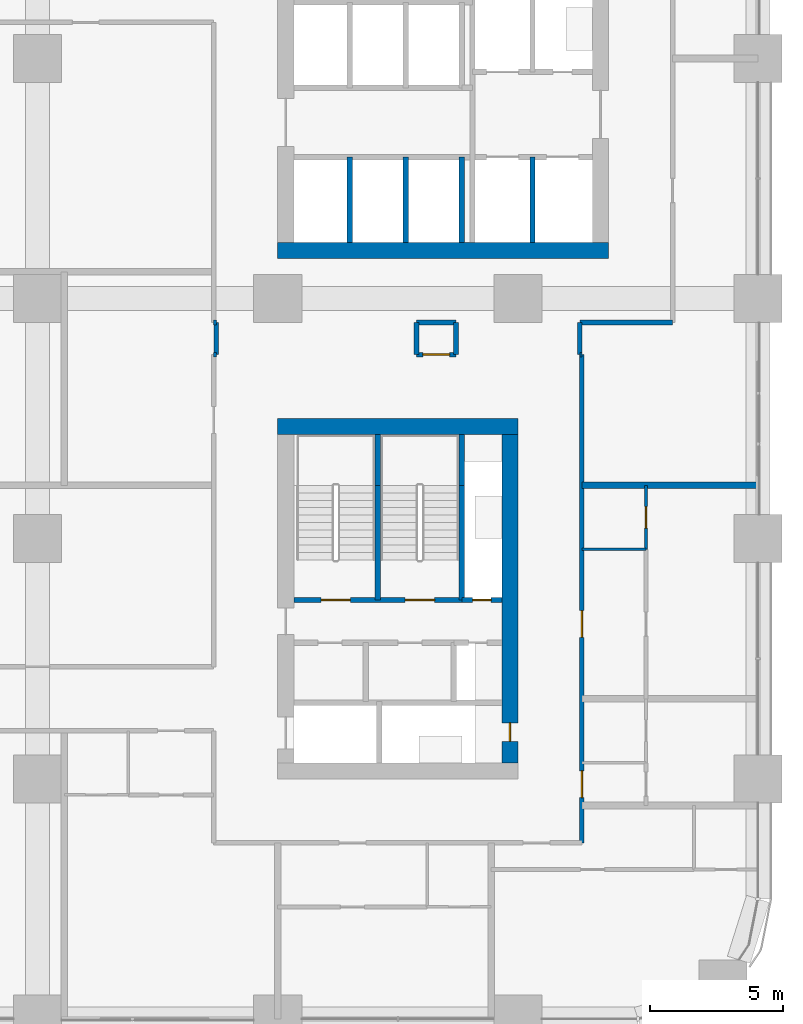
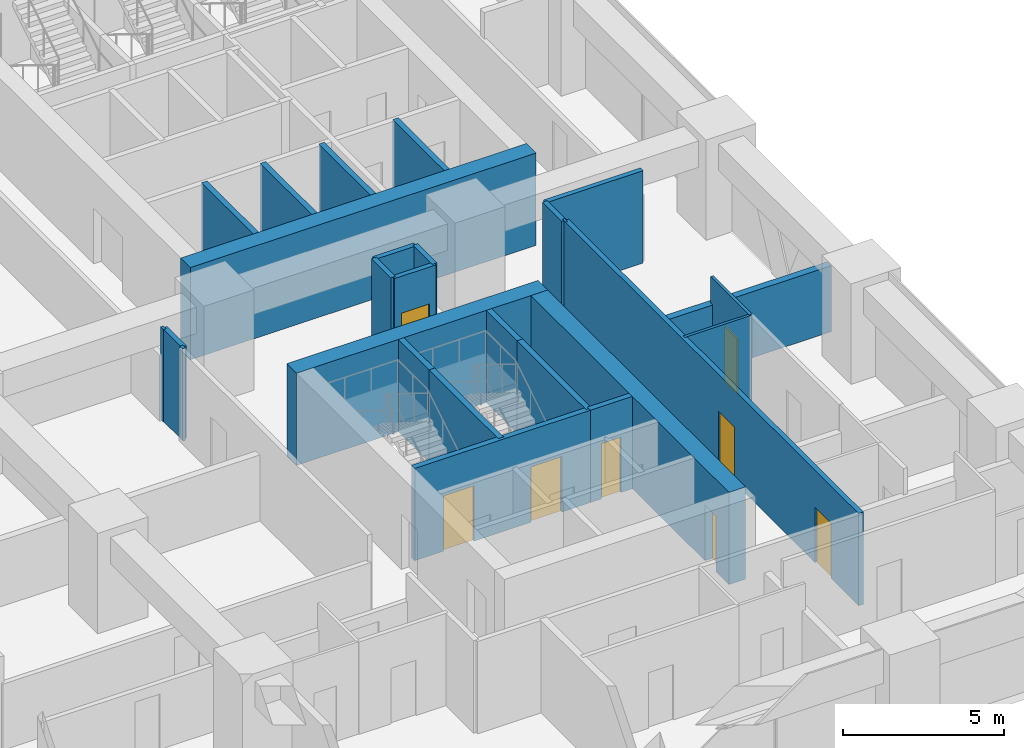
# One storey, part 17 of 24: 27 walls, 8 doors, 8 openings.
"""IFC4 building model written with IfcOpenShell, lengths in metres."""

from ifc_helpers import new_model, si_unit, direction, frame, frame_2d, origin, place, context, subcontext, project, spatial, rectangle, extrude, material, layer, layer_set, type_object, element, fill, save


model = new_model("IFC4")

# Units and contexts
model_context = context("Model", 3, precision=1e-05, world=origin(), true_north=direction((0.0, 1.0)))
body_context = subcontext(model_context, "Body", "Model", "MODEL_VIEW")
ifc_project = project(units=[si_unit("LENGTHUNIT", "METRE"), si_unit("AREAUNIT", "SQUARE_METRE"), si_unit("VOLUMEUNIT", "CUBIC_METRE"), si_unit("PLANEANGLEUNIT", "RADIAN"), si_unit("MASSUNIT", "GRAM", prefix="KILO")], contexts=[model_context])

# Site, building, storey
site_placement = place(None, origin())
site = spatial("IfcSite", under=ifc_project, at=site_placement, CompositionType="ELEMENT")
building_placement = place(site_placement, origin())
building = spatial("IfcBuilding", under=site, at=building_placement, Name="Tessera Arch", CompositionType="ELEMENT")
storey_placement = place(building_placement, frame((0.0, 0.0, 38.60009765625)))
storey = spatial("IfcBuildingStorey", under=building, at=storey_placement, Name="L07", CompositionType="ELEMENT", Elevation=38.60009765625)

# Walls
ifc_material_1 = material(Name="Concrete C70/85", Category="concrete")
ifc_layer_1 = layer(ifc_material_1, 0.60009765625)
ifc_layer_set_1 = layer_set([ifc_layer_1], Name="Core shell wall 600 C70-85")
wall_type_1 = type_object("IfcWallType", Name="Core shell wall 600 C70-85", PredefinedType="SHEAR", material=ifc_layer_set_1)
wall_1_placement = place(storey_placement, frame((36.0, 28.800048828125, 0.0), z_axis=(0.0, 0.0, 1.0), x_axis=(1.0, 0.0, 0.0)))
element("IfcWall", 1, at=wall_1_placement, inside=storey, type_object=wall_type_1, Name="L07 C1 core wall S", PredefinedType="SHEAR", context=body_context, shape_type="SweptSolid", body=[
    extrude(rectangle(XDim=12.39990234375, YDim=0.60009765625, at=frame_2d((6.199951171875, 0.0))), origin(), (0.0, 0.0, 1.0), 3.5),
])
wall_2_placement = place(storey_placement, frame((36.0, 22.199951171875, 0.0), z_axis=(0.0, 0.0, 1.0), x_axis=(1.0, 0.0, 0.0)))
element("IfcWall", 2, at=wall_2_placement, inside=storey, type_object=wall_type_1, Name="L07 C3 core wall N", PredefinedType="SHEAR", context=body_context, shape_type="SweptSolid", body=[
    extrude(rectangle(XDim=9.0, YDim=0.60009765625, at=frame_2d((4.5, 0.0))), origin(), (0.0, 0.0, 1.0), 3.5),
])

# Wall, opening, door
wall_3_placement = place(storey_placement, frame((44.699951171875, 9.60009765625, 0.0), z_axis=(0.0, 0.0, 1.0), x_axis=(0.0, 1.0, 0.0)))
wall_3 = element("IfcWall", 3, at=wall_3_placement, inside=storey, type_object=wall_type_1, Name="L07 C3 core wall E", PredefinedType="SHEAR", context=body_context, shape_type="SweptSolid", body=[
    extrude(rectangle(XDim=12.2998046875, YDim=0.60009765625, at=frame_2d((6.14990234375, 0.0))), origin(), (0.0, 0.0, 1.0), 3.5),
])
opening_1_placement = place(wall_3_placement, frame((0.800048828125, 0.0, 0.0)))
opening_1 = element("IfcOpeningElement", 4, at=opening_1_placement, cuts=wall_3, Name="Opening L07-C36", PredefinedType="OPENING", context=body_context, shape_type="SweptSolid", body=[
    extrude(rectangle(XDim=0.699951171875, YDim=2.10009765625, at=frame_2d((0.35009765625, 1.050048828125))), frame((0.0, 0.31005859375, 0.0), z_axis=(0.0, -1.0, 0.0), x_axis=(1.0, 0.0, 0.0)), (0.0, 0.0, 1.0), 0.6201171875),
])
ifc_material_2 = material(Name="Steel door leaf", Category="steel")
door_type_1 = type_object("IfcDoorType", Name="Service shaft door FD60 700 x 2100", OperationType="SINGLE_SWING_LEFT", PredefinedType="DOOR", material=ifc_material_2)
door_1_placement = place(opening_1_placement, origin())
door_1 = element("IfcDoor", 5, at=door_1_placement, inside=storey, type_object=door_type_1, Name="L07 C3 door 6 C36 type D07", OperationType="SINGLE_SWING_LEFT", OverallHeight=2.10009765625, OverallWidth=0.699951171875, PredefinedType="DOOR", context=body_context, shape_type="SweptSolid", body=[
    extrude(rectangle(XDim=0.699951171875, YDim=2.10009765625, at=frame_2d((0.35009765625, 1.050048828125))), frame((0.0, 0.02490234375, 0.0), z_axis=(0.0, -1.0, 0.0), x_axis=(1.0, 0.0, 0.0)), (0.0, 0.0, 1.0), 0.050048828125),
])
fill(opening_1, door_1)

# Wall
ifc_material_3 = material(Name="Gypsum board on deep steel stud with mineral wool", Category="steel")
ifc_layer_2 = layer(ifc_material_3, 0.175048828125)
ifc_layer_set_2 = layer_set([ifc_layer_2], Name="Corridor wall 175 EI 60")
wall_type_2 = type_object("IfcWallType", Name="Corridor wall 175 EI 60", PredefinedType="PARTITIONING", material=ifc_layer_set_2)
wall_4_placement = place(storey_placement, frame((33.60009765625, 24.89990234375, 0.0), z_axis=(0.0, 0.0, 1.0), x_axis=(1.0, 0.0, 0.0)))
element("IfcWall", 6, at=wall_4_placement, inside=storey, type_object=wall_type_2, Name="L07 partition 8", PredefinedType="PARTITIONING", context=body_context, shape_type="SweptSolid", body=[
    extrude(rectangle(XDim=0.099853515625, YDim=0.175048828125, at=frame_2d((0.0498046875, 0.0))), origin(), (0.0, 0.0, 1.0), 3.5),
])

# Wall, opening, door
wall_5_placement = place(storey_placement, frame((41.199951171875, 24.89990234375, 0.0), z_axis=(0.0, 0.0, 1.0), x_axis=(1.0, 0.0, 0.0)))
wall_5 = element("IfcWall", 7, at=wall_5_placement, inside=storey, type_object=wall_type_2, Name="L07 partition 9", PredefinedType="PARTITIONING", context=body_context, shape_type="SweptSolid", body=[
    extrude(rectangle(XDim=1.47998046875, YDim=0.175048828125, at=frame_2d((0.739990234375, 0.0))), origin(), (0.0, 0.0, 1.0), 3.5),
])
opening_2_placement = place(wall_5_placement, frame((0.239990234375, 0.0, 0.0)))
opening_2 = element("IfcOpeningElement", 8, at=opening_2_placement, cuts=wall_5, Name="Opening L07-D032", PredefinedType="OPENING", context=body_context, shape_type="SweptSolid", body=[
    extrude(rectangle(XDim=1.0, YDim=2.10009765625, at=frame_2d((0.5, 1.050048828125))), frame((0.0, 0.097412109375, 0.0), z_axis=(0.0, -1.0, 0.0), x_axis=(1.0, 0.0, 0.0)), (0.0, 0.0, 1.0), 0.195068359375),
])
ifc_material_4 = material(Name="Fire-rated door leaf")
door_type_2 = type_object("IfcDoorType", Name="Entrance door FD30S 1000 x 2100", OperationType="SINGLE_SWING_LEFT", PredefinedType="DOOR", material=ifc_material_4)
door_2_placement = place(opening_2_placement, origin())
door_2 = element("IfcDoor", 9, at=door_2_placement, inside=storey, type_object=door_type_2, Name="L07 door D032 type D03", OperationType="SINGLE_SWING_RIGHT", OverallHeight=2.10009765625, OverallWidth=1.0, PredefinedType="DOOR", context=body_context, shape_type="SweptSolid", body=[
    extrude(rectangle(XDim=1.0, YDim=2.10009765625, at=frame_2d((0.5, 1.050048828125))), frame((0.0, 0.02490234375, 0.0), z_axis=(0.0, -1.0, 0.0), x_axis=(1.0, 0.0, 0.0)), (0.0, 0.0, 1.0), 0.050048828125),
])
fill(opening_2, door_2)

# Walls
wall_6_placement = place(storey_placement, frame((47.320068359375, 24.89990234375, 0.0), z_axis=(0.0, 0.0, 1.0), x_axis=(1.0, 0.0, 0.0)))
element("IfcWall", 10, at=wall_6_placement, inside=storey, type_object=wall_type_2, Name="L07 partition 10", PredefinedType="PARTITIONING", context=body_context, shape_type="SweptSolid", body=[
    extrude(rectangle(XDim=0.079833984375, YDim=0.175048828125, at=frame_2d((0.0400390625, 0.0))), origin(), (0.0, 0.0, 1.0), 3.5),
])
wall_7_placement = place(storey_placement, frame((33.60009765625, 26.10009765625, 0.0), z_axis=(0.0, 0.0, 1.0), x_axis=(1.0, 0.0, 0.0)))
element("IfcWall", 11, at=wall_7_placement, inside=storey, type_object=wall_type_2, Name="L07 partition 14", PredefinedType="PARTITIONING", context=body_context, shape_type="SweptSolid", body=[
    extrude(rectangle(XDim=0.099853515625, YDim=0.175048828125, at=frame_2d((0.0498046875, 0.0))), origin(), (0.0, 0.0, 1.0), 3.5),
])
wall_8_placement = place(storey_placement, frame((41.199951171875, 26.10009765625, 0.0), z_axis=(0.0, 0.0, 1.0), x_axis=(1.0, 0.0, 0.0)))
element("IfcWall", 12, at=wall_8_placement, inside=storey, type_object=wall_type_2, Name="L07 partition 15", PredefinedType="PARTITIONING", context=body_context, shape_type="SweptSolid", body=[
    extrude(rectangle(XDim=1.47998046875, YDim=0.175048828125, at=frame_2d((0.739990234375, 0.0))), origin(), (0.0, 0.0, 1.0), 3.5),
])
wall_9_placement = place(storey_placement, frame((47.320068359375, 26.10009765625, 0.0), z_axis=(0.0, 0.0, 1.0), x_axis=(1.0, 0.0, 0.0)))
element("IfcWall", 13, at=wall_9_placement, inside=storey, type_object=wall_type_2, Name="L07 partition 16", PredefinedType="PARTITIONING", context=body_context, shape_type="SweptSolid", body=[
    extrude(rectangle(XDim=3.47998046875, YDim=0.175048828125, at=frame_2d((1.739990234375, 0.0))), origin(), (0.0, 0.0, 1.0), 3.5),
])
for number, where, z_axis, x_axis, name in (
    (14, (33.699951171875, 24.89990234375, 0.0), (0.0, 0.0, 1.0), (0.0, 1.0, 0.0), "L07 partition 35"),
    (15, (41.199951171875, 24.89990234375, 0.0), (0.0, 0.0, 1.0), (0.0, 1.0, 0.0), "L07 partition 36"),
    (16, (42.679931640625, 24.89990234375, 0.0), (0.0, 0.0, 1.0), (0.0, 1.0, 0.0), "L07 partition 37"),
    (17, (47.320068359375, 24.89990234375, 0.0), (0.0, 0.0, 1.0), (0.0, 1.0, 0.0), "L07 partition 38"),
):
    element("IfcWall", number, at=place(storey_placement, frame(where, z_axis=z_axis, x_axis=x_axis)), inside=storey, type_object=wall_type_2, Name=name, PredefinedType="PARTITIONING", context=body_context, shape_type="SweptSolid", body=[
        extrude(rectangle(XDim=1.2001953125, YDim=0.175048828125, at=frame_2d((0.60009765625, 0.0))), origin(), (0.0, 0.0, 1.0), 3.5),
    ])

# Wall, openings, doors
wall_10_placement = place(storey_placement, frame((47.39990234375, 6.60009765625, 0.0), z_axis=(0.0, 0.0, 1.0), x_axis=(0.0, 1.0, 0.0)))
wall_10 = element("IfcWall", 18, at=wall_10_placement, inside=storey, type_object=wall_type_2, Name="L07 partition 39", PredefinedType="PARTITIONING", context=body_context, shape_type="SweptSolid", body=[
    extrude(rectangle(XDim=18.2998046875, YDim=0.175048828125, at=frame_2d((9.14990234375, 0.0))), origin(), (0.0, 0.0, 1.0), 3.5),
])
opening_3_placement = place(wall_10_placement, frame((1.699951171875, 0.0, 0.0)))
opening_3 = element("IfcOpeningElement", 19, at=opening_3_placement, cuts=wall_10, Name="Opening L07-D019", PredefinedType="OPENING", context=body_context, shape_type="SweptSolid", body=[
    extrude(rectangle(XDim=1.0, YDim=2.10009765625, at=frame_2d((0.5, 1.050048828125))), frame((0.0, 0.097412109375, 0.0), z_axis=(0.0, -1.0, 0.0), x_axis=(1.0, 0.0, 0.0)), (0.0, 0.0, 1.0), 0.195068359375),
])
opening_4_placement = place(wall_10_placement, frame((7.699951171875, 0.0, 0.0)))
opening_4 = element("IfcOpeningElement", 20, at=opening_4_placement, cuts=wall_10, Name="Opening L07-D022", PredefinedType="OPENING", context=body_context, shape_type="SweptSolid", body=[
    extrude(rectangle(XDim=1.0, YDim=2.10009765625, at=frame_2d((0.5, 1.050048828125))), frame((0.0, 0.097412109375, 0.0), z_axis=(0.0, -1.0, 0.0), x_axis=(1.0, 0.0, 0.0)), (0.0, 0.0, 1.0), 0.195068359375),
])
door_3_placement = place(opening_3_placement, origin())
door_3 = element("IfcDoor", 21, at=door_3_placement, inside=storey, type_object=door_type_2, Name="L07 door D019 type D03", OperationType="SINGLE_SWING_RIGHT", OverallHeight=2.10009765625, OverallWidth=1.0, PredefinedType="DOOR", context=body_context, shape_type="SweptSolid", body=[
    extrude(rectangle(XDim=1.0, YDim=2.10009765625, at=frame_2d((0.5, 1.050048828125))), frame((0.0, 0.02490234375, 0.0), z_axis=(0.0, -1.0, 0.0), x_axis=(1.0, 0.0, 0.0)), (0.0, 0.0, 1.0), 0.050048828125),
])
fill(opening_3, door_3)
door_4_placement = place(opening_4_placement, origin())
door_4 = element("IfcDoor", 22, at=door_4_placement, inside=storey, type_object=door_type_2, Name="L07 door D022 type D03", OperationType="SINGLE_SWING_LEFT", OverallHeight=2.10009765625, OverallWidth=1.0, PredefinedType="DOOR", context=body_context, shape_type="SweptSolid", body=[
    extrude(rectangle(XDim=1.0, YDim=2.10009765625, at=frame_2d((0.5, 1.050048828125))), frame((0.0, 0.02490234375, 0.0), z_axis=(0.0, -1.0, 0.0), x_axis=(1.0, 0.0, 0.0)), (0.0, 0.0, 1.0), 0.050048828125),
])
fill(opening_4, door_4)

# Walls
ifc_material_5 = material(Name="Double gypsum board on twin steel stud with acoustic mineral wool", Category="steel")
ifc_layer_3 = layer(ifc_material_5, 0.25)
ifc_layer_set_3 = layer_set([ifc_layer_3], Name="Party wall 250 EI 60")
wall_type_3 = type_object("IfcWallType", Name="Party wall 250 EI 60", PredefinedType="PARTITIONING", material=ifc_layer_set_3)
wall_11_placement = place(storey_placement, frame((47.39990234375, 20.0, 0.0), z_axis=(0.0, 0.0, 1.0), x_axis=(1.0, 0.0, 0.0)))
element("IfcWall", 23, at=wall_11_placement, inside=storey, type_object=wall_type_3, Name="L07 partition 55", PredefinedType="PARTITIONING", context=body_context, shape_type="SweptSolid", body=[
    extrude(rectangle(XDim=6.60009765625, YDim=0.25, at=frame_2d((3.300048828125, 0.0))), origin(), (0.0, 0.0, 1.0), 2.5),
])
ifc_material_6 = material(Name="Concrete C40/50", Category="concrete")
ifc_layer_4 = layer(ifc_material_6, 0.199951171875)
ifc_layer_set_4 = layer_set([ifc_layer_4], Name="Shaft wall 200 EI 120")
wall_type_4 = type_object("IfcWallType", Name="Shaft wall 200 EI 120", PredefinedType="SOLIDWALL", material=ifc_layer_set_4)
for number, where, z_axis, x_axis, name in (
    (24, (38.699951171875, 29.10009765625, 0.0), (0.0, 0.0, 1.0), (0.0, 1.0, 0.0), "L07 C1 shaft wall 1"),
    (25, (40.800048828125, 29.10009765625, 0.0), (0.0, 0.0, 1.0), (0.0, 1.0, 0.0), "L07 C1 shaft wall 6"),
    (26, (42.89990234375, 29.10009765625, 0.0), (0.0, 0.0, 1.0), (0.0, 1.0, 0.0), "L07 C1 shaft wall 8"),
    (27, (45.550048828125, 29.10009765625, 0.0), (0.0, 0.0, 1.0), (0.0, 1.0, 0.0), "L07 C1 shaft wall 13"),
):
    element("IfcWall", number, at=place(storey_placement, frame(where, z_axis=z_axis, x_axis=x_axis)), inside=storey, type_object=wall_type_4, Name=name, PredefinedType="SOLIDWALL", context=body_context, shape_type="SweptSolid", body=[
        extrude(rectangle(XDim=3.199951171875, YDim=0.199951171875, at=frame_2d((1.60009765625, 0.0))), origin(), (0.0, 0.0, 1.0), 3.5),
    ])

# Wall, opening, door
wall_12_placement = place(storey_placement, frame((42.89990234375, 15.699951171875, 0.0), z_axis=(0.0, 0.0, 1.0), x_axis=(1.0, 0.0, 0.0)))
wall_12 = element("IfcWall", 28, at=wall_12_placement, inside=storey, type_object=wall_type_4, Name="L07 C3 shaft wall 11", PredefinedType="SOLIDWALL", context=body_context, shape_type="SweptSolid", body=[
    extrude(rectangle(XDim=1.5, YDim=0.199951171875, at=frame_2d((0.75, 0.0))), origin(), (0.0, 0.0, 1.0), 3.5),
])
opening_5_placement = place(wall_12_placement, frame((0.39990234375, 0.0, 0.0)))
opening_5 = element("IfcOpeningElement", 29, at=opening_5_placement, cuts=wall_12, Name="Opening L07-C34", PredefinedType="OPENING", context=body_context, shape_type="SweptSolid", body=[
    extrude(rectangle(XDim=0.699951171875, YDim=2.10009765625, at=frame_2d((0.35009765625, 1.050048828125))), frame((0.0, 0.10986328125, 0.0), z_axis=(0.0, -1.0, 0.0), x_axis=(1.0, 0.0, 0.0)), (0.0, 0.0, 1.0), 0.219970703125),
])
door_5_placement = place(opening_5_placement, origin())
door_5 = element("IfcDoor", 30, at=door_5_placement, inside=storey, type_object=door_type_1, Name="L07 C3 door 4 C34 type D07", OperationType="SINGLE_SWING_LEFT", OverallHeight=2.10009765625, OverallWidth=0.699951171875, PredefinedType="DOOR", context=body_context, shape_type="SweptSolid", body=[
    extrude(rectangle(XDim=0.699951171875, YDim=2.10009765625, at=frame_2d((0.35009765625, 1.050048828125))), frame((0.0, 0.02490234375, 0.0), z_axis=(0.0, -1.0, 0.0), x_axis=(1.0, 0.0, 0.0)), (0.0, 0.0, 1.0), 0.050048828125),
])
fill(opening_5, door_5)

# Walls
ifc_material_7 = material(Name="Concrete C40/50", Category="concrete")
ifc_layer_5 = layer(ifc_material_7, 0.199951171875)
ifc_layer_set_5 = layer_set([ifc_layer_5], Name="Stair well wall 200 REI 180")
wall_type_5 = type_object("IfcWallType", Name="Stair well wall 200 REI 180", PredefinedType="SOLIDWALL", material=ifc_layer_set_5)
wall_13_placement = place(storey_placement, frame((39.75, 15.699951171875, 0.0), z_axis=(0.0, 0.0, 1.0), x_axis=(0.0, 1.0, 0.0)))
element("IfcWall", 31, at=wall_13_placement, inside=storey, type_object=wall_type_5, Name="L07 C3 shaft wall 2", PredefinedType="SOLIDWALL", context=body_context, shape_type="SweptSolid", body=[
    extrude(rectangle(XDim=4.300048828125, YDim=0.199951171875, at=frame_2d((2.14990234375, 0.0))), origin(), (0.0, 0.0, 1.0), 3.5),
])
wall_14_placement = place(storey_placement, frame((39.75, 20.0, 0.0), z_axis=(0.0, 0.0, 1.0), x_axis=(0.0, 1.0, 0.0)))
element("IfcWall", 32, at=wall_14_placement, inside=storey, type_object=wall_type_5, Name="L07 C3 shaft wall 3", PredefinedType="SOLIDWALL", context=body_context, shape_type="SweptSolid", body=[
    extrude(rectangle(XDim=1.89990234375, YDim=0.199951171875, at=frame_2d((0.949951171875, 0.0))), origin(), (0.0, 0.0, 1.0), 3.5),
])
wall_15_placement = place(storey_placement, frame((42.89990234375, 15.699951171875, 0.0), z_axis=(0.0, 0.0, 1.0), x_axis=(0.0, 1.0, 0.0)))
element("IfcWall", 33, at=wall_15_placement, inside=storey, type_object=wall_type_5, Name="L07 C3 shaft wall 6", PredefinedType="SOLIDWALL", context=body_context, shape_type="SweptSolid", body=[
    extrude(rectangle(XDim=4.300048828125, YDim=0.199951171875, at=frame_2d((2.14990234375, 0.0))), origin(), (0.0, 0.0, 1.0), 3.5),
])
wall_16_placement = place(storey_placement, frame((42.89990234375, 20.0, 0.0), z_axis=(0.0, 0.0, 1.0), x_axis=(0.0, 1.0, 0.0)))
element("IfcWall", 34, at=wall_16_placement, inside=storey, type_object=wall_type_5, Name="L07 C3 shaft wall 7", PredefinedType="SOLIDWALL", context=body_context, shape_type="SweptSolid", body=[
    extrude(rectangle(XDim=1.89990234375, YDim=0.199951171875, at=frame_2d((0.949951171875, 0.0))), origin(), (0.0, 0.0, 1.0), 3.5),
])

# Wall, openings, doors
wall_17_placement = place(storey_placement, frame((36.60009765625, 15.699951171875, 0.0), z_axis=(0.0, 0.0, 1.0), x_axis=(1.0, 0.0, 0.0)))
wall_17 = element("IfcWall", 35, at=wall_17_placement, inside=storey, type_object=wall_type_5, Name="L07 C3 shaft wall 12", PredefinedType="SOLIDWALL", context=body_context, shape_type="SweptSolid", body=[
    extrude(rectangle(XDim=6.2998046875, YDim=0.199951171875, at=frame_2d((3.14990234375, 0.0))), origin(), (0.0, 0.0, 1.0), 3.5),
])
opening_6_placement = place(wall_17_placement, frame((1.02490234375, 0.0, 0.0)))
opening_6 = element("IfcOpeningElement", 36, at=opening_6_placement, cuts=wall_17, Name="Opening L07-C32", PredefinedType="OPENING", context=body_context, shape_type="SweptSolid", body=[
    extrude(rectangle(XDim=1.10009765625, YDim=2.10009765625, at=frame_2d((0.550048828125, 1.050048828125))), frame((0.0, 0.10986328125, 0.0), z_axis=(0.0, -1.0, 0.0), x_axis=(1.0, 0.0, 0.0)), (0.0, 0.0, 1.0), 0.219970703125),
])
opening_7_placement = place(wall_17_placement, frame((4.175048828125, 0.0, 0.0)))
opening_7 = element("IfcOpeningElement", 37, at=opening_7_placement, cuts=wall_17, Name="Opening L07-C33", PredefinedType="OPENING", context=body_context, shape_type="SweptSolid", body=[
    extrude(rectangle(XDim=1.10009765625, YDim=2.10009765625, at=frame_2d((0.550048828125, 1.050048828125))), frame((0.0, 0.10986328125, 0.0), z_axis=(0.0, -1.0, 0.0), x_axis=(1.0, 0.0, 0.0)), (0.0, 0.0, 1.0), 0.219970703125),
])
ifc_material_8 = material(Name="Steel door leaf", Category="steel")
door_type_3 = type_object("IfcDoorType", Name="Stair door FD60 1100 x 2100", OperationType="SINGLE_SWING_LEFT", PredefinedType="DOOR", material=ifc_material_8)
door_6_placement = place(opening_6_placement, origin())
door_6 = element("IfcDoor", 38, at=door_6_placement, inside=storey, type_object=door_type_3, Name="L07 C3 door 2 C32 type D05", OperationType="SINGLE_SWING_LEFT", OverallHeight=2.10009765625, OverallWidth=1.10009765625, PredefinedType="DOOR", context=body_context, shape_type="SweptSolid", body=[
    extrude(rectangle(XDim=1.10009765625, YDim=2.10009765625, at=frame_2d((0.550048828125, 1.050048828125))), frame((0.0, 0.02490234375, 0.0), z_axis=(0.0, -1.0, 0.0), x_axis=(1.0, 0.0, 0.0)), (0.0, 0.0, 1.0), 0.050048828125),
])
fill(opening_6, door_6)
door_7_placement = place(opening_7_placement, origin())
door_7 = element("IfcDoor", 39, at=door_7_placement, inside=storey, type_object=door_type_3, Name="L07 C3 door 3 C33 type D05", OperationType="SINGLE_SWING_RIGHT", OverallHeight=2.10009765625, OverallWidth=1.10009765625, PredefinedType="DOOR", context=body_context, shape_type="SweptSolid", body=[
    extrude(rectangle(XDim=1.10009765625, YDim=2.10009765625, at=frame_2d((0.550048828125, 1.050048828125))), frame((0.0, 0.02490234375, 0.0), z_axis=(0.0, -1.0, 0.0), x_axis=(1.0, 0.0, 0.0)), (0.0, 0.0, 1.0), 0.050048828125),
])
fill(opening_7, door_7)

# Wall
ifc_material_9 = material(Name="Moisture-resistant board on pre-plumbed steel stud", Category="steel")
ifc_layer_6 = layer(ifc_material_9, 0.10009765625)
ifc_layer_set_6 = layer_set([ifc_layer_6], Name="Wet wall 100")
wall_type_6 = type_object("IfcWallType", Name="Wet wall 100", PredefinedType="PARTITIONING", material=ifc_layer_set_6)
wall_18_placement = place(storey_placement, frame((47.39990234375, 17.60009765625, 0.0), z_axis=(0.0, 0.0, 1.0), x_axis=(1.0, 0.0, 0.0)))
element("IfcWall", 40, at=wall_18_placement, inside=storey, type_object=wall_type_6, Name="L07 partition 79", PredefinedType="PARTITIONING", context=body_context, shape_type="SweptSolid", body=[
    extrude(rectangle(XDim=2.400146484375, YDim=0.10009765625, at=frame_2d((1.2001953125, 0.0))), origin(), (0.0, 0.0, 1.0), 3.5),
])

# Wall, opening, door
wall_19_placement = place(storey_placement, frame((49.800048828125, 17.60009765625, 0.0), z_axis=(0.0, 0.0, 1.0), x_axis=(0.0, 1.0, 0.0)))
wall_19 = element("IfcWall", 41, at=wall_19_placement, inside=storey, type_object=wall_type_6, Name="L07 partition 87", PredefinedType="PARTITIONING", context=body_context, shape_type="SweptSolid", body=[
    extrude(rectangle(XDim=2.39990234375, YDim=0.10009765625, at=frame_2d((1.199951171875, 0.0))), origin(), (0.0, 0.0, 1.0), 3.5),
])
opening_8_placement = place(wall_19_placement, frame((0.800048828125, 0.0, 0.0)))
opening_8 = element("IfcOpeningElement", 42, at=opening_8_placement, cuts=wall_19, Name="Opening L07-D024", PredefinedType="OPENING", context=body_context, shape_type="SweptSolid", body=[
    extrude(rectangle(XDim=0.800048828125, YDim=2.10009765625, at=frame_2d((0.39990234375, 1.050048828125))), frame((0.0, 0.06005859375, 0.0), z_axis=(0.0, -1.0, 0.0), x_axis=(1.0, 0.0, 0.0)), (0.0, 0.0, 1.0), 0.1201171875),
])
ifc_material_10 = material(Name="Timber door leaf", Category="wood")
door_type_4 = type_object("IfcDoorType", Name="En-suite door 800 x 2100", OperationType="SINGLE_SWING_LEFT", PredefinedType="DOOR", material=ifc_material_10)
door_8_placement = place(opening_8_placement, origin())
door_8 = element("IfcDoor", 43, at=door_8_placement, inside=storey, type_object=door_type_4, Name="L07 door D024 type D02", OperationType="SINGLE_SWING_LEFT", OverallHeight=2.10009765625, OverallWidth=0.800048828125, PredefinedType="DOOR", context=body_context, shape_type="SweptSolid", body=[
    extrude(rectangle(XDim=0.800048828125, YDim=2.10009765625, at=frame_2d((0.39990234375, 1.050048828125))), frame((0.0, 0.02490234375, 0.0), z_axis=(0.0, -1.0, 0.0), x_axis=(1.0, 0.0, 0.0)), (0.0, 0.0, 1.0), 0.050048828125),
])
fill(opening_8, door_8)

save(model, "model.ifc")
